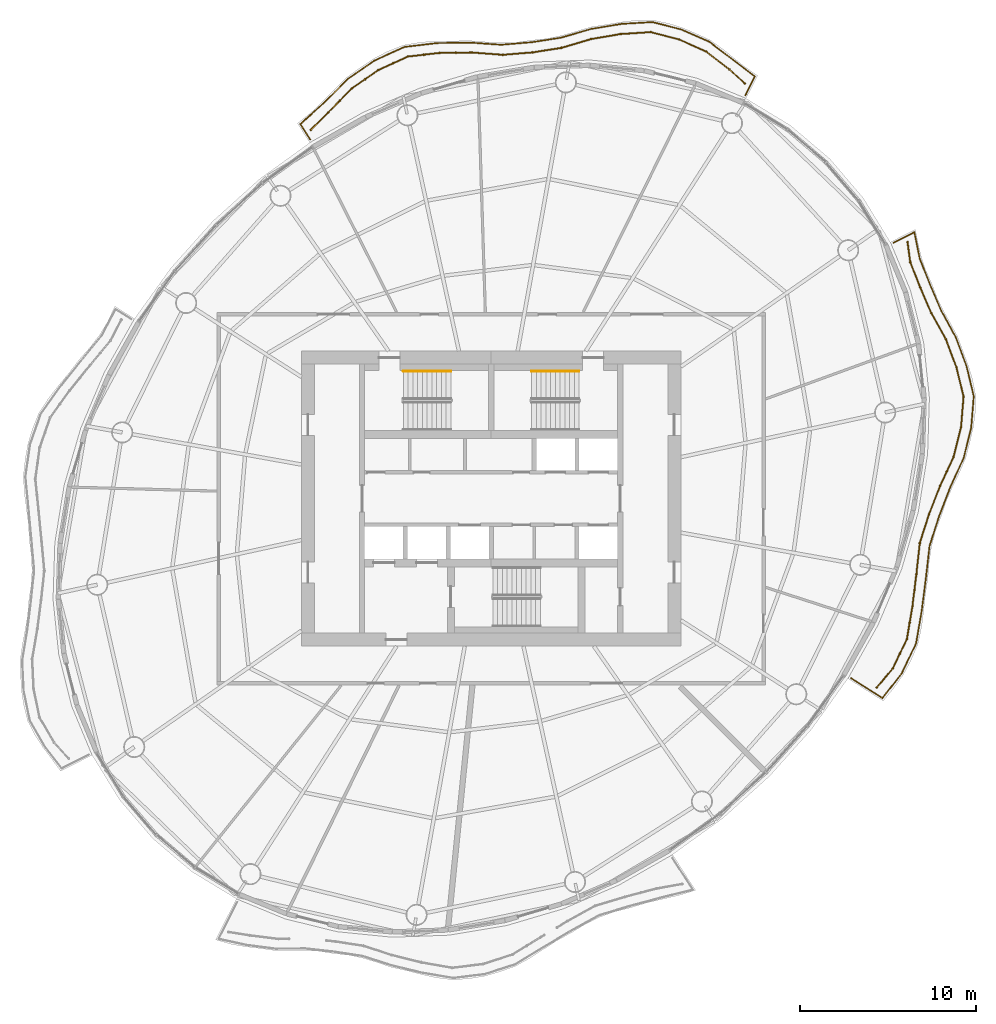
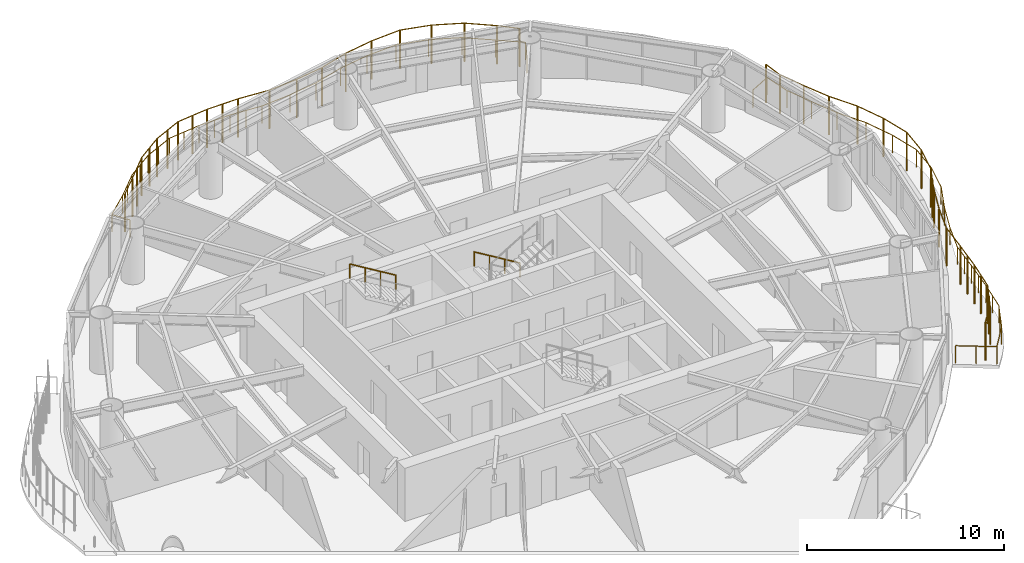
# One storey, part 14 of 14: 6 railings.
"""IFC4 building model written with IfcOpenShell, lengths in metres."""

from ifc_helpers import new_model, si_unit, direction, frame, origin, origin_2d, place, context, subcontext, project, spatial, circle, extrude, material, type_object, element, save


model = new_model("IFC4")

# Units and contexts
model_context = context("Model", 3, precision=1e-05, world=origin(), true_north=direction((0.0, 1.0)))
body_context = subcontext(model_context, "Body", "Model", "MODEL_VIEW")
ifc_project = project(units=[si_unit("LENGTHUNIT", "METRE"), si_unit("AREAUNIT", "SQUARE_METRE"), si_unit("VOLUMEUNIT", "CUBIC_METRE"), si_unit("PLANEANGLEUNIT", "RADIAN"), si_unit("MASSUNIT", "GRAM", prefix="KILO")], contexts=[model_context])

# Site, building, storey
site_placement = place(None, origin())
site = spatial("IfcSite", under=ifc_project, at=site_placement, CompositionType="ELEMENT")
building_placement = place(site_placement, origin())
building = spatial("IfcBuilding", under=site, at=building_placement, Name="Vermilion Reach Broadcast Tower", CompositionType="ELEMENT")
storey_placement = place(building_placement, frame((0.0, 0.0, 213.699951171875)))
storey = spatial("IfcBuildingStorey", under=building, at=storey_placement, Name="L52", CompositionType="ELEMENT", Elevation=213.699951171875)

# Railings
ifc_material_1 = material(Name="Terracotta baguette", Category="masonry")
railing_type_1 = type_object("IfcRailingType", Name="BAGUETTE SCREEN", PredefinedType="USERDEFINED", material=ifc_material_1)
railing_1_placement = place(storey_placement, frame((8.435302734375, 23.627197265625, 0.0)))
element("IfcRailing", 1, at=railing_1_placement, inside=storey, type_object=railing_type_1, Name="Baguette screen L52 group 1", ObjectType="BAGUETTE SCREEN", PredefinedType="USERDEFINED", context=body_context, shape_type="SweptSolid", body=[
    extrude(circle(Radius=0.030029296875, at=origin_2d()), frame((0.0, 0.0, 2.369873046875), z_axis=(-0.739649627298, 0.672992146193, 0.0), x_axis=(-0.672992146193, -0.739649627298, 0.0)), (0.0, 0.0, 1.0), 1.179443359375),
    extrude(circle(Radius=0.030029296875, at=origin_2d()), frame((-0.872314453125, 0.793701171875, 2.369873046875), z_axis=(-0.791352142625, 0.611360602561, 0.0), x_axis=(-0.611360602561, -0.791352142625, 0.0)), (0.0, 0.0, 1.0), 1.67919921875),
    extrude(circle(Radius=0.030029296875, at=origin_2d()), frame((-2.201171875, 1.8203125, 2.369873046875), z_axis=(-0.913150453015, 0.407622681113, 0.0), x_axis=(-0.407622681113, -0.913150453015, 0.0)), (0.0, 0.0, 1.0), 1.67822265625),
    extrude(circle(Radius=0.030029296875, at=origin_2d()), frame((-3.733642578125, 2.50439453125, 2.369873046875), z_axis=(-0.967837465897, 0.251576309709, 0.0), x_axis=(-0.251576309709, -0.967837465897, 0.0)), (0.0, 0.0, 1.0), 1.669189453125),
    extrude(circle(Radius=0.030029296875, at=origin_2d()), frame((-5.34912109375, 2.92431640625, 2.369873046875), z_axis=(-0.997981660836, -0.063502792333, 0.0), x_axis=(0.063502792333, -0.997981660836, 0.0)), (0.0, 0.0, 1.0), 1.72998046875),
    extrude(circle(Radius=0.030029296875, at=origin_2d()), frame((-7.07568359375, 2.814453125, 2.369873046875), z_axis=(-0.9857387336, -0.168282943525, 0.0), x_axis=(0.168282943525, -0.9857387336, 0.0)), (0.0, 0.0, 1.0), 1.7119140625),
    extrude(circle(Radius=0.030029296875, at=origin_2d()), frame((-8.76318359375, 2.5263671875, 2.369873046875), z_axis=(-0.9585765672, -0.284834978216, 0.0), x_axis=(0.284834978216, -0.9585765672, 0.0)), (0.0, 0.0, 1.0), 1.747802734375),
    extrude(circle(Radius=0.030029296875, at=origin_2d()), frame((-10.4384765625, 2.028564453125, 2.369873046875), z_axis=(-0.987964988356, -0.154677670604, 0.0), x_axis=(0.154677670604, -0.987964988356, 0.0)), (0.0, 0.0, 1.0), 1.658935546875),
    extrude(circle(Radius=0.030029296875, at=origin_2d()), frame((-12.077392578125, 1.77197265625, 2.369873046875), z_axis=(-0.99661199456, -0.082246776831, 0.0), x_axis=(0.082246776831, -0.99661199456, 0.0)), (0.0, 0.0, 1.0), 1.695068359375),
    extrude(circle(Radius=0.030029296875, at=origin_2d()), frame((-13.7666015625, 1.632568359375, 2.369873046875), z_axis=(-0.99721752149, 0.074546729187, 0.0), x_axis=(-0.074546729187, -0.99721752149, 0.0)), (0.0, 0.0, 1.0), 1.771728515625),
    extrude(circle(Radius=0.030029296875, at=origin_2d()), frame((-15.533447265625, 1.7646484375, 2.369873046875), z_axis=(-0.999934176533, -0.011473560932, 0.0), x_axis=(0.011473560932, -0.999934176533, 0.0)), (0.0, 0.0, 1.0), 1.829833984375),
    extrude(circle(Radius=0.030029296875, at=origin_2d()), frame((-17.36328125, 1.74365234375, 2.369873046875), z_axis=(-0.993381479253, -0.114861815576, 0.0), x_axis=(0.114861815576, -0.993381479253, 0.0)), (0.0, 0.0, 1.0), 1.832275390625),
    extrude(circle(Radius=0.030029296875, at=origin_2d()), frame((-19.183349609375, 1.533203125, 2.369873046875), z_axis=(-0.910121039112, -0.414342484143, 0.0), x_axis=(0.414342484143, -0.910121039112, 0.0)), (0.0, 0.0, 1.0), 1.8408203125),
    extrude(circle(Radius=0.030029296875, at=origin_2d()), frame((-20.858642578125, 0.7705078125, 2.369873046875), z_axis=(-0.819176168527, -0.573541981827, 0.0), x_axis=(0.573541981827, -0.819176168527, 0.0)), (0.0, 0.0, 1.0), 1.8515625),
    extrude(circle(Radius=0.030029296875, at=origin_2d()), frame((-22.37548828125, -0.29150390625, 2.369873046875), z_axis=(-0.701212394017, -0.712952437738, 0.0), x_axis=(0.712952437738, -0.701212394017, 0.0)), (0.0, 0.0, 1.0), 1.9130859375),
    extrude(circle(Radius=0.030029296875, at=origin_2d()), frame((-23.717041015625, -1.655517578125, 2.369873046875), z_axis=(-0.708424941136, -0.705786159383, 0.0), x_axis=(0.705786159383, -0.708424941136, 0.0)), (0.0, 0.0, 1.0), 1.3876953125),
    extrude(circle(Radius=0.050048828125, at=origin_2d()), origin(), (0.0, 0.0, 1.0), 2.33984375),
    extrude(circle(Radius=0.050048828125, at=origin_2d()), frame((-0.872314453125, 0.793701171875, 0.0)), (0.0, 0.0, 1.0), 2.33984375),
    extrude(circle(Radius=0.050048828125, at=origin_2d()), frame((-2.201171875, 1.8203125, 0.0)), (0.0, 0.0, 1.0), 2.33984375),
    extrude(circle(Radius=0.050048828125, at=origin_2d()), frame((-3.733642578125, 2.50439453125, 0.0)), (0.0, 0.0, 1.0), 2.33984375),
    extrude(circle(Radius=0.050048828125, at=origin_2d()), frame((-5.34912109375, 2.92431640625, 0.0)), (0.0, 0.0, 1.0), 2.33984375),
    extrude(circle(Radius=0.050048828125, at=origin_2d()), frame((-7.07568359375, 2.814453125, 0.0)), (0.0, 0.0, 1.0), 2.33984375),
    extrude(circle(Radius=0.050048828125, at=origin_2d()), frame((-8.76318359375, 2.5263671875, 0.0)), (0.0, 0.0, 1.0), 2.33984375),
    extrude(circle(Radius=0.050048828125, at=origin_2d()), frame((-10.4384765625, 2.028564453125, 0.0)), (0.0, 0.0, 1.0), 2.33984375),
    extrude(circle(Radius=0.050048828125, at=origin_2d()), frame((-12.077392578125, 1.77197265625, 0.0)), (0.0, 0.0, 1.0), 2.33984375),
    extrude(circle(Radius=0.050048828125, at=origin_2d()), frame((-13.7666015625, 1.632568359375, 0.0)), (0.0, 0.0, 1.0), 2.33984375),
    extrude(circle(Radius=0.050048828125, at=origin_2d()), frame((-15.533447265625, 1.7646484375, 0.0)), (0.0, 0.0, 1.0), 2.33984375),
    extrude(circle(Radius=0.050048828125, at=origin_2d()), frame((-16.4482421875, 1.754150390625, 0.0)), (0.0, 0.0, 1.0), 2.33984375),
    extrude(circle(Radius=0.050048828125, at=origin_2d()), frame((-17.36328125, 1.74365234375, 0.0)), (0.0, 0.0, 1.0), 2.33984375),
    extrude(circle(Radius=0.050048828125, at=origin_2d()), frame((-18.2734375, 1.638427734375, 0.0)), (0.0, 0.0, 1.0), 2.33984375),
    extrude(circle(Radius=0.050048828125, at=origin_2d()), frame((-19.183349609375, 1.533203125, 0.0)), (0.0, 0.0, 1.0), 2.33984375),
    extrude(circle(Radius=0.050048828125, at=origin_2d()), frame((-20.02099609375, 1.15185546875, 0.0)), (0.0, 0.0, 1.0), 2.33984375),
    extrude(circle(Radius=0.050048828125, at=origin_2d()), frame((-20.858642578125, 0.7705078125, 0.0)), (0.0, 0.0, 1.0), 2.33984375),
    extrude(circle(Radius=0.050048828125, at=origin_2d()), frame((-21.6171875, 0.239501953125, 0.0)), (0.0, 0.0, 1.0), 2.33984375),
    extrude(circle(Radius=0.050048828125, at=origin_2d()), frame((-22.37548828125, -0.29150390625, 0.0)), (0.0, 0.0, 1.0), 2.33984375),
    extrude(circle(Radius=0.050048828125, at=origin_2d()), frame((-23.04638671875, -0.9736328125, 0.0)), (0.0, 0.0, 1.0), 2.33984375),
    extrude(circle(Radius=0.050048828125, at=origin_2d()), frame((-23.717041015625, -1.655517578125, 0.0)), (0.0, 0.0, 1.0), 2.33984375),
    extrude(circle(Radius=0.050048828125, at=origin_2d()), frame((-24.7001953125, -2.635009765625, 0.0)), (0.0, 0.0, 1.0), 2.33984375),
])
railing_2_placement = place(storey_placement, frame((15.94287109375, -10.7548828125, 0.0)))
element("IfcRailing", 2, at=railing_2_placement, inside=storey, type_object=railing_type_1, Name="Baguette screen L52 group 4", ObjectType="BAGUETTE SCREEN", PredefinedType="USERDEFINED", context=body_context, shape_type="SweptSolid", body=[
    extrude(circle(Radius=0.030029296875, at=origin_2d()), frame((0.0, 0.0, 2.369873046875), z_axis=(0.64251148537, 0.766276054152, 0.0), x_axis=(-0.766276054152, 0.64251148537, 0.0)), (0.0, 0.0, 1.0), 1.42236328125),
    extrude(circle(Radius=0.030029296875, at=origin_2d()), frame((0.913818359375, 1.08984375, 2.369873046875), z_axis=(0.431780245067, 0.901978835655, 0.0), x_axis=(-0.901978835655, 0.431780245067, 0.0)), (0.0, 0.0, 1.0), 1.862060546875),
    extrude(circle(Radius=0.030029296875, at=origin_2d()), frame((1.7177734375, 2.769287109375, 2.369873046875), z_axis=(0.165724664173, 0.986172061906, 0.0), x_axis=(-0.986172061906, 0.165724664173, 0.0)), (0.0, 0.0, 1.0), 1.88134765625),
    extrude(circle(Radius=0.030029296875, at=origin_2d()), frame((2.029541015625, 4.62451171875, 2.369873046875), z_axis=(0.121955173269, 0.992535609292, 0.0), x_axis=(-0.992535609292, 0.121955173269, 0.0)), (0.0, 0.0, 1.0), 1.849853515625),
    extrude(circle(Radius=0.030029296875, at=origin_2d()), frame((2.255126953125, 6.46044921875, 2.369873046875), z_axis=(0.109311877527, 0.994007501698, 0.0), x_axis=(-0.994007501698, 0.109311877527, 0.0)), (0.0, 0.0, 1.0), 1.77099609375),
    extrude(circle(Radius=0.030029296875, at=origin_2d()), frame((2.44873046875, 8.220947265625, 2.369873046875), z_axis=(0.305634960441, 0.952148765139, 0.0), x_axis=(-0.952148765139, 0.305634960441, 0.0)), (0.0, 0.0, 1.0), 1.731689453125),
    extrude(circle(Radius=0.030029296875, at=origin_2d()), frame((2.97802734375, 9.869873046875, 2.369873046875), z_axis=(0.362371354227, 0.932033798548, 0.0), x_axis=(-0.932033798548, 0.362371354227, 0.0)), (0.0, 0.0, 1.0), 1.730224609375),
    extrude(circle(Radius=0.030029296875, at=origin_2d()), frame((3.60498046875, 11.482421875, 2.369873046875), z_axis=(0.422547203603, 0.906340918599, 0.0), x_axis=(-0.906340918599, 0.422547203603, 0.0)), (0.0, 0.0, 1.0), 1.817626953125),
    extrude(circle(Radius=0.030029296875, at=origin_2d()), frame((4.373046875, 13.1298828125, 2.369873046875), z_axis=(0.243324786237, 0.969944868744, 0.0), x_axis=(-0.969944868744, 0.243324786237, 0.0)), (0.0, 0.0, 1.0), 1.746826171875),
    extrude(circle(Radius=0.030029296875, at=origin_2d()), frame((4.798095703125, 14.82421875, 2.369873046875), z_axis=(0.082119232818, 0.996622512088, 0.0), x_axis=(-0.996622512088, 0.082119232818, 0.0)), (0.0, 0.0, 1.0), 1.7451171875),
    extrude(circle(Radius=0.030029296875, at=origin_2d()), frame((4.94140625, 16.5634765625, 2.369873046875), z_axis=(-0.237247412272, 0.971449260317, 0.0), x_axis=(-0.971449260317, -0.237247412272, 0.0)), (0.0, 0.0, 1.0), 1.717529296875),
    extrude(circle(Radius=0.030029296875, at=origin_2d()), frame((4.533935546875, 18.23193359375, 2.369873046875), z_axis=(-0.352587582662, 0.935778818179, 0.0), x_axis=(-0.935778818179, -0.352587582662, 0.0)), (0.0, 0.0, 1.0), 1.71728515625),
    extrude(circle(Radius=0.030029296875, at=origin_2d()), frame((3.928466796875, 19.8388671875, 2.369873046875), z_axis=(-0.488488398943, 0.872570389194, 0.0), x_axis=(-0.872570389194, -0.488488398943, 0.0)), (0.0, 0.0, 1.0), 1.681396484375),
    extrude(circle(Radius=0.030029296875, at=origin_2d()), frame((3.107177734375, 21.305908203125, 2.369873046875), z_axis=(-0.395949469133, 0.918272300515, 0.0), x_axis=(-0.918272300515, -0.395949469133, 0.0)), (0.0, 0.0, 1.0), 1.595703125),
    extrude(circle(Radius=0.030029296875, at=origin_2d()), frame((2.475341796875, 22.771240234375, 2.369873046875), z_axis=(-0.368279233023, 0.929715228726, 0.0), x_axis=(-0.929715228726, -0.368279233023, 0.0)), (0.0, 0.0, 1.0), 1.543212890625),
    extrude(circle(Radius=0.030029296875, at=origin_2d()), frame((1.906982421875, 24.2060546875, 2.369873046875), z_axis=(-0.133778100113, 0.991011311706, 0.0), x_axis=(-0.991011311706, -0.133778100113, 0.0)), (0.0, 0.0, 1.0), 1.158935546875),
    extrude(circle(Radius=0.050048828125, at=origin_2d()), origin(), (0.0, 0.0, 1.0), 2.33984375),
    extrude(circle(Radius=0.050048828125, at=origin_2d()), frame((0.913818359375, 1.08984375, 0.0)), (0.0, 0.0, 1.0), 2.33984375),
    extrude(circle(Radius=0.050048828125, at=origin_2d()), frame((1.31591796875, 1.9296875, 0.0)), (0.0, 0.0, 1.0), 2.33984375),
    extrude(circle(Radius=0.050048828125, at=origin_2d()), frame((1.7177734375, 2.769287109375, 0.0)), (0.0, 0.0, 1.0), 2.33984375),
    extrude(circle(Radius=0.050048828125, at=origin_2d()), frame((1.87353515625, 3.69677734375, 0.0)), (0.0, 0.0, 1.0), 2.33984375),
    extrude(circle(Radius=0.050048828125, at=origin_2d()), frame((2.029541015625, 4.62451171875, 0.0)), (0.0, 0.0, 1.0), 2.33984375),
    extrude(circle(Radius=0.050048828125, at=origin_2d()), frame((2.142333984375, 5.54248046875, 0.0)), (0.0, 0.0, 1.0), 2.33984375),
    extrude(circle(Radius=0.050048828125, at=origin_2d()), frame((2.255126953125, 6.46044921875, 0.0)), (0.0, 0.0, 1.0), 2.33984375),
    extrude(circle(Radius=0.050048828125, at=origin_2d()), frame((2.44873046875, 8.220947265625, 0.0)), (0.0, 0.0, 1.0), 2.33984375),
    extrude(circle(Radius=0.050048828125, at=origin_2d()), frame((2.97802734375, 9.869873046875, 0.0)), (0.0, 0.0, 1.0), 2.33984375),
    extrude(circle(Radius=0.050048828125, at=origin_2d()), frame((3.60498046875, 11.482421875, 0.0)), (0.0, 0.0, 1.0), 2.33984375),
    extrude(circle(Radius=0.050048828125, at=origin_2d()), frame((3.989013671875, 12.30615234375, 0.0)), (0.0, 0.0, 1.0), 2.33984375),
    extrude(circle(Radius=0.050048828125, at=origin_2d()), frame((4.373046875, 13.1298828125, 0.0)), (0.0, 0.0, 1.0), 2.33984375),
    extrude(circle(Radius=0.050048828125, at=origin_2d()), frame((4.798095703125, 14.82421875, 0.0)), (0.0, 0.0, 1.0), 2.33984375),
    extrude(circle(Radius=0.050048828125, at=origin_2d()), frame((4.94140625, 16.5634765625, 0.0)), (0.0, 0.0, 1.0), 2.33984375),
    extrude(circle(Radius=0.050048828125, at=origin_2d()), frame((4.533935546875, 18.23193359375, 0.0)), (0.0, 0.0, 1.0), 2.33984375),
    extrude(circle(Radius=0.050048828125, at=origin_2d()), frame((3.928466796875, 19.8388671875, 0.0)), (0.0, 0.0, 1.0), 2.33984375),
    extrude(circle(Radius=0.050048828125, at=origin_2d()), frame((3.107177734375, 21.305908203125, 0.0)), (0.0, 0.0, 1.0), 2.33984375),
    extrude(circle(Radius=0.050048828125, at=origin_2d()), frame((2.475341796875, 22.771240234375, 0.0)), (0.0, 0.0, 1.0), 2.33984375),
    extrude(circle(Radius=0.050048828125, at=origin_2d()), frame((1.906982421875, 24.2060546875, 0.0)), (0.0, 0.0, 1.0), 2.33984375),
    extrude(circle(Radius=0.050048828125, at=origin_2d()), frame((1.751953125, 25.3544921875, 0.0)), (0.0, 0.0, 1.0), 2.33984375),
])
ifc_material_2 = material(Name="Stainless steel 316 balustrade", Category="steel")
railing_type_2 = type_object("IfcRailingType", Name="Balcony guard 1100", PredefinedType="BALUSTRADE", material=ifc_material_2)
railing_3_placement = place(storey_placement, frame((8.46533203125, 22.956787109375, 0.0)))
element("IfcRailing", 3, at=railing_3_placement, inside=storey, type_object=railing_type_2, Name="Balcony guard L52 group 1", PredefinedType="BALUSTRADE", context=body_context, shape_type="SweptSolid", body=[
    extrude(circle(Radius=0.02490234375, at=origin_2d()), frame((0.0, 0.0, 1.0751953125), z_axis=(0.450819793244, 0.892614986441, 0.0), x_axis=(-0.892614986441, 0.450819793244, 0.0)), (0.0, 0.0, 1.0), 1.1904296875),
    extrude(circle(Radius=0.02490234375, at=origin_2d()), frame((0.53662109375, 1.0625, 1.0751953125), z_axis=(-0.792293268503, 0.610140456522, 0.0), x_axis=(-0.610140456522, -0.792293268503, 0.0)), (0.0, 0.0, 1.0), 1.537353515625),
    extrude(circle(Radius=0.02490234375, at=origin_2d()), frame((-0.681396484375, 2.00048828125, 1.0751953125), z_axis=(-0.795998114529, 0.605299100995, 0.0), x_axis=(-0.605299100995, -0.795998114529, 0.0)), (0.0, 0.0, 1.0), 1.720703125),
    extrude(circle(Radius=0.02490234375, at=origin_2d()), frame((-2.051025390625, 3.0419921875, 1.0751953125), z_axis=(-0.914564602273, 0.404439845057, 0.0), x_axis=(-0.404439845057, -0.914564602273, 0.0)), (0.0, 0.0, 1.0), 1.720947265625),
    extrude(circle(Radius=0.02490234375, at=origin_2d()), frame((-3.625, 3.738037109375, 1.0751953125), z_axis=(-0.968111105555, 0.250521231237, 0.0), x_axis=(-0.250521231237, -0.968111105555, 0.0)), (0.0, 0.0, 1.0), 1.710205078125),
    extrude(circle(Radius=0.02490234375, at=origin_2d()), frame((-5.28076171875, 4.16650390625, 1.0751953125), z_axis=(-0.998257214527, -0.059012995555, 0.0), x_axis=(0.059012995555, -0.998257214527, 0.0)), (0.0, 0.0, 1.0), 1.770751953125),
    extrude(circle(Radius=0.02490234375, at=origin_2d()), frame((-7.04833984375, 4.06201171875, 1.0751953125), z_axis=(-0.986611741787, -0.163086697702, 0.0), x_axis=(0.163086697702, -0.986611741787, 0.0)), (0.0, 0.0, 1.0), 1.75),
    extrude(circle(Radius=0.02490234375, at=origin_2d()), frame((-8.77490234375, 3.776611328125, 1.0751953125), z_axis=(-0.960296601617, -0.278981069111, 0.0), x_axis=(0.278981069111, -0.960296601617, 0.0)), (0.0, 0.0, 1.0), 1.78515625),
    extrude(circle(Radius=0.02490234375, at=origin_2d()), frame((-10.4892578125, 3.278564453125, 1.0751953125), z_axis=(-0.988269972881, -0.152716929978, 0.0), x_axis=(0.152716929978, -0.988269972881, 0.0)), (0.0, 0.0, 1.0), 1.696044921875),
    extrude(circle(Radius=0.02490234375, at=origin_2d()), frame((-12.16552734375, 3.01953125, 1.0751953125), z_axis=(-0.996512629109, -0.083442075874, 0.0), x_axis=(0.083442075874, -0.996512629109, 0.0)), (0.0, 0.0, 1.0), 1.732177734375),
    extrude(circle(Radius=0.02490234375, at=origin_2d()), frame((-13.8916015625, 2.875, 1.0751953125), z_axis=(-0.997592747644, 0.069344861726, 0.0), x_axis=(-0.069344861726, -0.997592747644, 0.0)), (0.0, 0.0, 1.0), 1.80615234375),
    extrude(circle(Radius=0.02490234375, at=origin_2d()), frame((-15.693359375, 3.000244140625, 1.0751953125), z_axis=(-0.999872326085, -0.015979096644, 0.0), x_axis=(0.015979096644, -0.999872326085, 0.0)), (0.0, 0.0, 1.0), 1.864013671875),
    extrude(circle(Radius=0.02490234375, at=origin_2d()), frame((-17.55712890625, 2.970458984375, 1.0751953125), z_axis=(-0.992947253017, -0.118556959836, 0.0), x_axis=(0.118556959836, -0.992947253017, 0.0)), (0.0, 0.0, 1.0), 1.86572265625),
    extrude(circle(Radius=0.02490234375, at=origin_2d()), frame((-19.40966796875, 2.749267578125, 1.0751953125), z_axis=(-0.91054926811, -0.413400568872, 0.0), x_axis=(0.413400568872, -0.91054926811, 0.0)), (0.0, 0.0, 1.0), 1.87451171875),
    extrude(circle(Radius=0.02490234375, at=origin_2d()), frame((-21.116455078125, 1.974365234375, 1.0751953125), z_axis=(-0.820963307436, -0.57098095226, 0.0), x_axis=(0.57098095226, -0.820963307436, 0.0)), (0.0, 0.0, 1.0), 1.884033203125),
    extrude(circle(Radius=0.02490234375, at=origin_2d()), frame((-22.6630859375, 0.898681640625, 1.0751953125), z_axis=(-0.704716864961, -0.709488647012, 0.0), x_axis=(0.709488647012, -0.704716864961, 0.0)), (0.0, 0.0, 1.0), 1.944091796875),
    extrude(circle(Radius=0.02490234375, at=origin_2d()), frame((-24.033203125, -0.480712890625, 1.0751953125), z_axis=(-0.745835570035, -0.666130094254, 0.0), x_axis=(0.666130094254, -0.745835570035, 0.0)), (0.0, 0.0, 1.0), 1.73974609375),
    extrude(circle(Radius=0.02490234375, at=origin_2d()), frame((-25.330810546875, -1.6396484375, 1.0751953125), z_axis=(0.540483679526, -0.841354498512, 0.0), x_axis=(0.841354498512, 0.540483679526, 0.0)), (0.0, 0.0, 1.0), 1.0361328125),
    extrude(circle(Radius=0.02490234375, at=origin_2d()), origin(), (0.0, 0.0, 1.0), 1.050048828125),
    extrude(circle(Radius=0.02490234375, at=origin_2d()), frame((0.53662109375, 1.0625, 0.0)), (0.0, 0.0, 1.0), 1.050048828125),
    extrude(circle(Radius=0.02490234375, at=origin_2d()), frame((-0.681396484375, 2.00048828125, 0.0)), (0.0, 0.0, 1.0), 1.050048828125),
    extrude(circle(Radius=0.02490234375, at=origin_2d()), frame((-2.051025390625, 3.0419921875, 0.0)), (0.0, 0.0, 1.0), 1.050048828125),
    extrude(circle(Radius=0.02490234375, at=origin_2d()), frame((-3.625, 3.738037109375, 0.0)), (0.0, 0.0, 1.0), 1.050048828125),
    extrude(circle(Radius=0.02490234375, at=origin_2d()), frame((-5.28076171875, 4.16650390625, 0.0)), (0.0, 0.0, 1.0), 1.050048828125),
    extrude(circle(Radius=0.02490234375, at=origin_2d()), frame((-7.04833984375, 4.06201171875, 0.0)), (0.0, 0.0, 1.0), 1.050048828125),
    extrude(circle(Radius=0.02490234375, at=origin_2d()), frame((-8.77490234375, 3.776611328125, 0.0)), (0.0, 0.0, 1.0), 1.050048828125),
    extrude(circle(Radius=0.02490234375, at=origin_2d()), frame((-10.4892578125, 3.278564453125, 0.0)), (0.0, 0.0, 1.0), 1.050048828125),
    extrude(circle(Radius=0.02490234375, at=origin_2d()), frame((-12.16552734375, 3.01953125, 0.0)), (0.0, 0.0, 1.0), 1.050048828125),
    extrude(circle(Radius=0.02490234375, at=origin_2d()), frame((-13.8916015625, 2.875, 0.0)), (0.0, 0.0, 1.0), 1.050048828125),
    extrude(circle(Radius=0.02490234375, at=origin_2d()), frame((-14.79248046875, 2.9375, 0.0)), (0.0, 0.0, 1.0), 1.050048828125),
    extrude(circle(Radius=0.02490234375, at=origin_2d()), frame((-15.693359375, 3.000244140625, 0.0)), (0.0, 0.0, 1.0), 1.050048828125),
    extrude(circle(Radius=0.02490234375, at=origin_2d()), frame((-16.625244140625, 2.9853515625, 0.0)), (0.0, 0.0, 1.0), 1.050048828125),
    extrude(circle(Radius=0.02490234375, at=origin_2d()), frame((-17.55712890625, 2.970458984375, 0.0)), (0.0, 0.0, 1.0), 1.050048828125),
    extrude(circle(Radius=0.02490234375, at=origin_2d()), frame((-18.4833984375, 2.85986328125, 0.0)), (0.0, 0.0, 1.0), 1.050048828125),
    extrude(circle(Radius=0.02490234375, at=origin_2d()), frame((-19.40966796875, 2.749267578125, 0.0)), (0.0, 0.0, 1.0), 1.050048828125),
    extrude(circle(Radius=0.02490234375, at=origin_2d()), frame((-20.26318359375, 2.36181640625, 0.0)), (0.0, 0.0, 1.0), 1.050048828125),
    extrude(circle(Radius=0.02490234375, at=origin_2d()), frame((-21.116455078125, 1.974365234375, 0.0)), (0.0, 0.0, 1.0), 1.050048828125),
    extrude(circle(Radius=0.02490234375, at=origin_2d()), frame((-21.8896484375, 1.4365234375, 0.0)), (0.0, 0.0, 1.0), 1.050048828125),
    extrude(circle(Radius=0.02490234375, at=origin_2d()), frame((-22.6630859375, 0.898681640625, 0.0)), (0.0, 0.0, 1.0), 1.050048828125),
    extrude(circle(Radius=0.02490234375, at=origin_2d()), frame((-23.34814453125, 0.208984375, 0.0)), (0.0, 0.0, 1.0), 1.050048828125),
    extrude(circle(Radius=0.02490234375, at=origin_2d()), frame((-24.033203125, -0.480712890625, 0.0)), (0.0, 0.0, 1.0), 1.050048828125),
    extrude(circle(Radius=0.02490234375, at=origin_2d()), frame((-25.330810546875, -1.6396484375, 0.0)), (0.0, 0.0, 1.0), 1.050048828125),
    extrude(circle(Radius=0.02490234375, at=origin_2d()), frame((-24.770751953125, -2.511474609375, 0.0)), (0.0, 0.0, 1.0), 1.050048828125),
])
railing_4_placement = place(storey_placement, frame((14.48828125, -10.2197265625, 0.0)))
element("IfcRailing", 4, at=railing_4_placement, inside=storey, type_object=railing_type_2, Name="Balcony guard L52 group 4", PredefinedType="BALUSTRADE", context=body_context, shape_type="SweptSolid", body=[
    extrude(circle(Radius=0.02490234375, at=origin_2d()), frame((0.0, 0.0, 1.0751953125), z_axis=(0.843599614215, -0.536972709638, 0.0), x_axis=(0.536972709638, 0.843599614215, 0.0)), (0.0, 0.0, 1.0), 2.1123046875),
    extrude(circle(Radius=0.02490234375, at=origin_2d()), frame((1.781982421875, -1.13427734375, 1.0751953125), z_axis=(0.613741111425, 0.789507345214, 0.0), x_axis=(-0.789507345214, 0.613741111425, 0.0)), (0.0, 0.0, 1.0), 1.779296875),
    extrude(circle(Radius=0.02490234375, at=origin_2d()), frame((2.8740234375, 0.2705078125, 1.0751953125), z_axis=(0.43230792705, 0.90172604277, 0.0), x_axis=(-0.90172604277, 0.43230792705, 0.0)), (0.0, 0.0, 1.0), 1.894775390625),
    extrude(circle(Radius=0.02490234375, at=origin_2d()), frame((3.693115234375, 1.97900390625, 1.0751953125), z_axis=(0.170129157213, 0.985421772576, 0.0), x_axis=(-0.985421772576, 0.170129157213, 0.0)), (0.0, 0.0, 1.0), 1.912841796875),
    extrude(circle(Radius=0.02490234375, at=origin_2d()), frame((4.0185546875, 3.864013671875, 1.0751953125), z_axis=(0.126316930017, 0.991989936033, 0.0), x_axis=(-0.991989936033, 0.126316930017, 0.0)), (0.0, 0.0, 1.0), 1.882568359375),
    extrude(circle(Radius=0.02490234375, at=origin_2d()), frame((4.25634765625, 5.7314453125, 1.0751953125), z_axis=(0.112985589444, 0.993596626694, 0.0), x_axis=(-0.993596626694, 0.112985589444, 0.0)), (0.0, 0.0, 1.0), 1.80419921875),
    extrude(circle(Radius=0.02490234375, at=origin_2d()), frame((4.460205078125, 7.524169921875, 1.0751953125), z_axis=(0.304600289233, 0.952480269506, 0.0), x_axis=(-0.952480269506, 0.304600289233, 0.0)), (0.0, 0.0, 1.0), 1.767333984375),
    extrude(circle(Radius=0.02490234375, at=origin_2d()), frame((4.99853515625, 9.20751953125, 1.0751953125), z_axis=(0.358979079309, 0.933345606203, 0.0), x_axis=(-0.933345606203, 0.358979079309, 0.0)), (0.0, 0.0, 1.0), 1.764892578125),
    extrude(circle(Radius=0.02490234375, at=origin_2d()), frame((5.632080078125, 10.854736328125, 1.0751953125), z_axis=(0.41697677265, 0.908917142027, 0.0), x_axis=(-0.908917142027, 0.41697677265, 0.0)), (0.0, 0.0, 1.0), 1.85302734375),
    extrude(circle(Radius=0.02490234375, at=origin_2d()), frame((6.40478515625, 12.5390625, 1.0751953125), z_axis=(0.239829115691, 0.970815118994, 0.0), x_axis=(-0.970815118994, 0.239829115691, 0.0)), (0.0, 0.0, 1.0), 1.783447265625),
    extrude(circle(Radius=0.02490234375, at=origin_2d()), frame((6.83251953125, 14.2705078125, 1.0751953125), z_axis=(0.080180274807, 0.996780378786, 0.0), x_axis=(-0.996780378786, 0.080180274807, 0.0)), (0.0, 0.0, 1.0), 1.784423828125),
    extrude(circle(Radius=0.02490234375, at=origin_2d()), frame((6.9755859375, 16.049072265625, 1.0751953125), z_axis=(-0.233530672196, 0.972349435719, 0.0), x_axis=(-0.972349435719, -0.233530672196, 0.0)), (0.0, 0.0, 1.0), 1.75634765625),
    extrude(circle(Radius=0.02490234375, at=origin_2d()), frame((6.5654296875, 17.7568359375, 1.0751953125), z_axis=(-0.347848183229, 0.937550874046, 0.0), x_axis=(-0.937550874046, -0.347848183229, 0.0)), (0.0, 0.0, 1.0), 1.757568359375),
    extrude(circle(Radius=0.02490234375, at=origin_2d()), frame((5.9541015625, 19.404541015625, 1.0751953125), z_axis=(-0.482278195784, 0.876018117319, 0.0), x_axis=(-0.876018117319, -0.482278195784, 0.0)), (0.0, 0.0, 1.0), 1.720703125),
    extrude(circle(Radius=0.02490234375, at=origin_2d()), frame((5.124267578125, 20.911865234375, 1.0751953125), z_axis=(-0.392947923421, 0.919560726368, 0.0), x_axis=(-0.919560726368, -0.392947923421, 0.0)), (0.0, 0.0, 1.0), 1.638427734375),
    extrude(circle(Radius=0.02490234375, at=origin_2d()), frame((4.48046875, 22.41845703125, 1.0751953125), z_axis=(-0.367779588446, 0.929912992878, 0.0), x_axis=(-0.929912992878, -0.367779588446, 0.0)), (0.0, 0.0, 1.0), 1.58642578125),
    extrude(circle(Radius=0.02490234375, at=origin_2d()), frame((3.89697265625, 23.893798828125, 1.0751953125), z_axis=(-0.197379169519, 0.980327222635, 0.0), x_axis=(-0.980327222635, -0.197379169519, 0.0)), (0.0, 0.0, 1.0), 1.52392578125),
    extrude(circle(Radius=0.02490234375, at=origin_2d()), frame((3.59619140625, 25.3876953125, 1.0751953125), z_axis=(-0.890663595495, -0.454662907725, 0.0), x_axis=(0.454662907725, -0.890663595495, 0.0)), (0.0, 0.0, 1.0), 1.33447265625),
    extrude(circle(Radius=0.02490234375, at=origin_2d()), origin(), (0.0, 0.0, 1.0), 1.050048828125),
    extrude(circle(Radius=0.02490234375, at=origin_2d()), frame((0.89111328125, -0.567138671875, 0.0)), (0.0, 0.0, 1.0), 1.050048828125),
    extrude(circle(Radius=0.02490234375, at=origin_2d()), frame((1.781982421875, -1.13427734375, 0.0)), (0.0, 0.0, 1.0), 1.050048828125),
    extrude(circle(Radius=0.02490234375, at=origin_2d()), frame((2.8740234375, 0.2705078125, 0.0)), (0.0, 0.0, 1.0), 1.050048828125),
    extrude(circle(Radius=0.02490234375, at=origin_2d()), frame((3.28369140625, 1.124755859375, 0.0)), (0.0, 0.0, 1.0), 1.050048828125),
    extrude(circle(Radius=0.02490234375, at=origin_2d()), frame((3.693115234375, 1.97900390625, 0.0)), (0.0, 0.0, 1.0), 1.050048828125),
    extrude(circle(Radius=0.02490234375, at=origin_2d()), frame((3.85595703125, 2.92138671875, 0.0)), (0.0, 0.0, 1.0), 1.050048828125),
    extrude(circle(Radius=0.02490234375, at=origin_2d()), frame((4.0185546875, 3.864013671875, 0.0)), (0.0, 0.0, 1.0), 1.050048828125),
    extrude(circle(Radius=0.02490234375, at=origin_2d()), frame((4.137451171875, 4.7978515625, 0.0)), (0.0, 0.0, 1.0), 1.050048828125),
    extrude(circle(Radius=0.02490234375, at=origin_2d()), frame((4.25634765625, 5.7314453125, 0.0)), (0.0, 0.0, 1.0), 1.050048828125),
    extrude(circle(Radius=0.02490234375, at=origin_2d()), frame((4.3583984375, 6.6279296875, 0.0)), (0.0, 0.0, 1.0), 1.050048828125),
    extrude(circle(Radius=0.02490234375, at=origin_2d()), frame((4.460205078125, 7.524169921875, 0.0)), (0.0, 0.0, 1.0), 1.050048828125),
    extrude(circle(Radius=0.02490234375, at=origin_2d()), frame((4.99853515625, 9.20751953125, 0.0)), (0.0, 0.0, 1.0), 1.050048828125),
    extrude(circle(Radius=0.02490234375, at=origin_2d()), frame((5.632080078125, 10.854736328125, 0.0)), (0.0, 0.0, 1.0), 1.050048828125),
    extrude(circle(Radius=0.02490234375, at=origin_2d()), frame((6.0185546875, 11.69677734375, 0.0)), (0.0, 0.0, 1.0), 1.050048828125),
    extrude(circle(Radius=0.02490234375, at=origin_2d()), frame((6.40478515625, 12.5390625, 0.0)), (0.0, 0.0, 1.0), 1.050048828125),
    extrude(circle(Radius=0.02490234375, at=origin_2d()), frame((6.83251953125, 14.2705078125, 0.0)), (0.0, 0.0, 1.0), 1.050048828125),
    extrude(circle(Radius=0.02490234375, at=origin_2d()), frame((6.9755859375, 16.049072265625, 0.0)), (0.0, 0.0, 1.0), 1.050048828125),
    extrude(circle(Radius=0.02490234375, at=origin_2d()), frame((6.5654296875, 17.7568359375, 0.0)), (0.0, 0.0, 1.0), 1.050048828125),
    extrude(circle(Radius=0.02490234375, at=origin_2d()), frame((5.9541015625, 19.404541015625, 0.0)), (0.0, 0.0, 1.0), 1.050048828125),
    extrude(circle(Radius=0.02490234375, at=origin_2d()), frame((5.124267578125, 20.911865234375, 0.0)), (0.0, 0.0, 1.0), 1.050048828125),
    extrude(circle(Radius=0.02490234375, at=origin_2d()), frame((4.48046875, 22.41845703125, 0.0)), (0.0, 0.0, 1.0), 1.050048828125),
    extrude(circle(Radius=0.02490234375, at=origin_2d()), frame((3.89697265625, 23.893798828125, 0.0)), (0.0, 0.0, 1.0), 1.050048828125),
    extrude(circle(Radius=0.02490234375, at=origin_2d()), frame((3.59619140625, 25.3876953125, 0.0)), (0.0, 0.0, 1.0), 1.050048828125),
    extrude(circle(Radius=0.02490234375, at=origin_2d()), frame((2.40771484375, 24.781005859375, 0.0)), (0.0, 0.0, 1.0), 1.050048828125),
])
ifc_material_3 = material(Name="Stainless steel", Category="steel")
railing_type_3 = type_object("IfcRailingType", Name="Stair handrail", PredefinedType="HANDRAIL", material=ifc_material_3)
for number, where, name in (
    (5, (-8.300048828125, 7.25, 1.963623046875), "L52 ST1 stair handrail 2"),
    (6, (-1.0, 7.25, 0.16357421875), "L52 ST2 stair handrail 1"),
):
    element("IfcRailing", number, at=place(storey_placement, frame(where)), inside=storey, type_object=railing_type_3, Name=name, PredefinedType="HANDRAIL", context=body_context, shape_type="SweptSolid", body=[
        extrude(circle(Radius=0.02392578125, at=origin_2d()), frame((0.0, 0.0, 0.8759765625), z_axis=(-0.855178096276, 0.0, 0.518334277904), x_axis=(0.0, -1.0, 0.0)), (0.0, 0.0, 1.0), 3.1572265625),
        extrude(circle(Radius=0.02099609375, at=origin_2d()), origin(), (0.0, 0.0, 1.0), 0.851806640625),
        extrude(circle(Radius=0.02099609375, at=origin_2d()), frame((-0.89990234375, 0.0, 0.54541015625)), (0.0, 0.0, 1.0), 0.851806640625),
        extrude(circle(Radius=0.02099609375, at=origin_2d()), frame((-1.800048828125, 0.0, 1.091064453125)), (0.0, 0.0, 1.0), 0.851806640625),
        extrude(circle(Radius=0.02099609375, at=origin_2d()), frame((-2.699951171875, 0.0, 1.636474609375)), (0.0, 0.0, 1.0), 0.851806640625),
    ])

save(model, "model.ifc")
